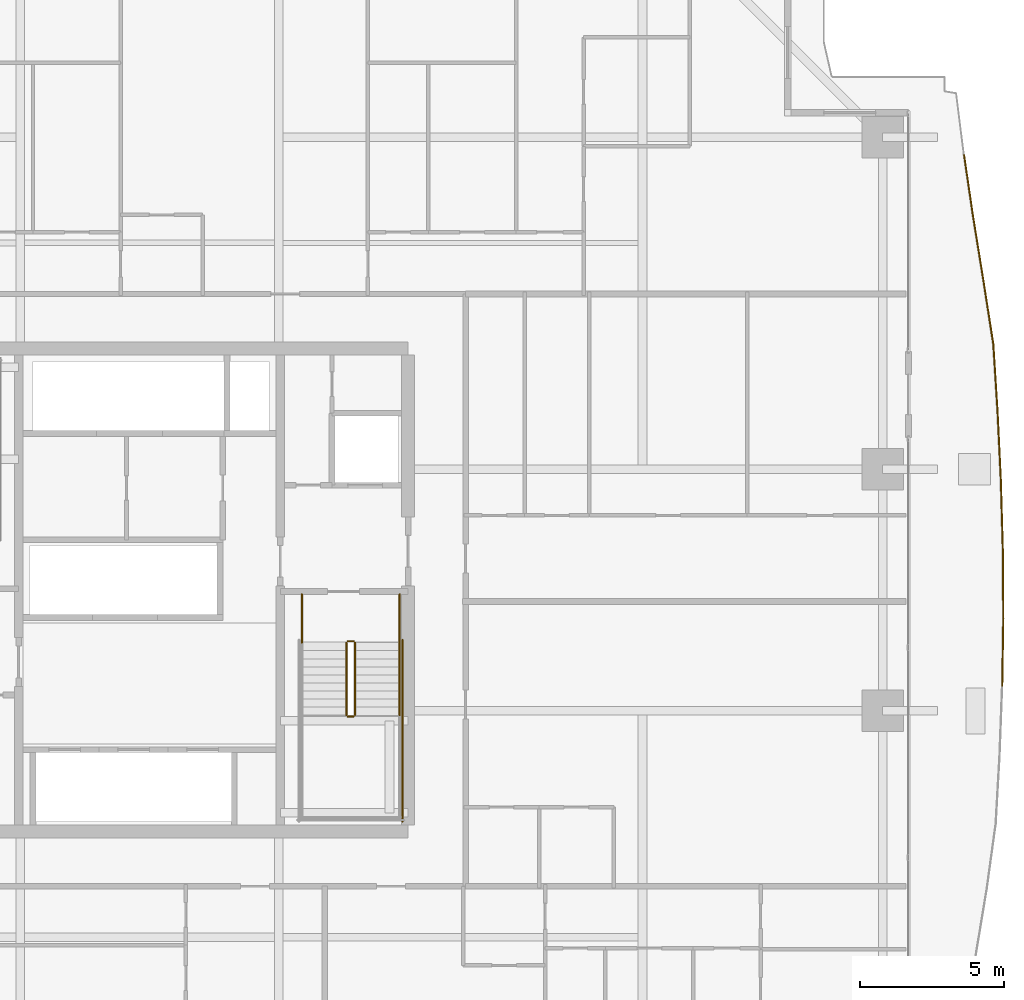
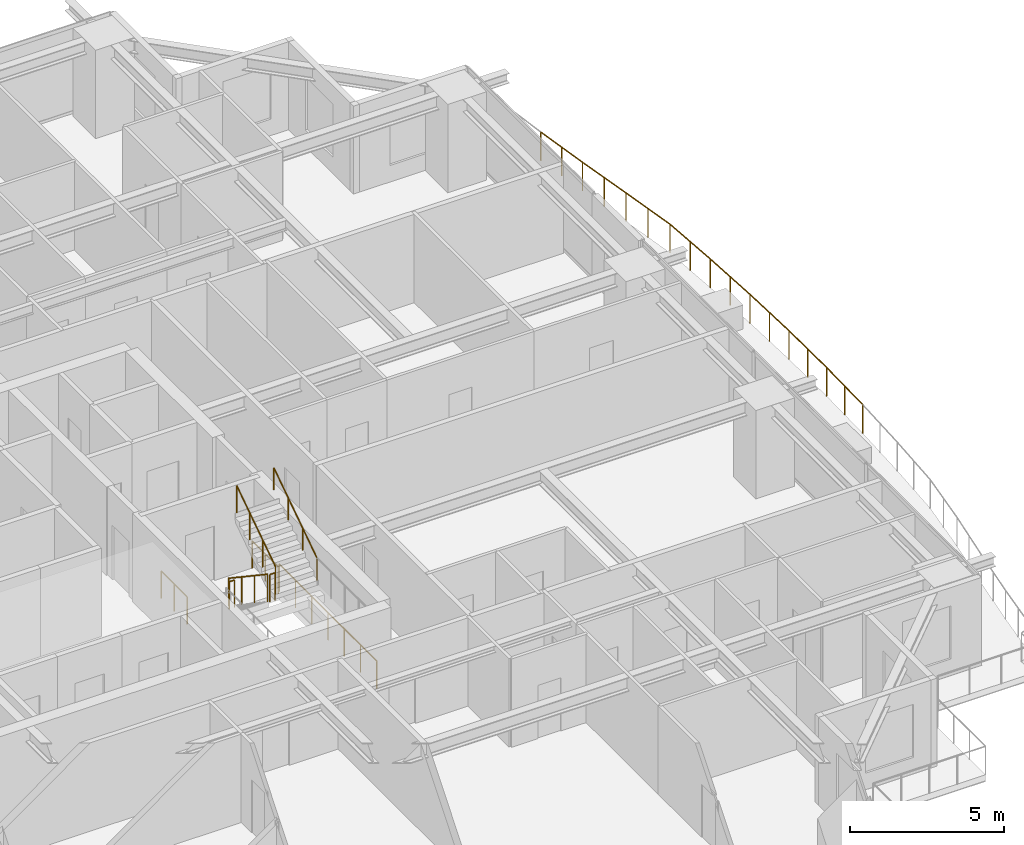
# One storey, part 37 of 38: 9 railings.
"""IFC4 building model written with IfcOpenShell, lengths in metres."""

from ifc_helpers import new_model, si_unit, direction, frame, origin, origin_2d, place, context, subcontext, project, spatial, circle, extrude, material, type_object, element, save


model = new_model("IFC4")

# Units and contexts
model_context = context("Model", 3, precision=1e-05, world=origin(), true_north=direction((0.0, 1.0)))
body_context = subcontext(model_context, "Body", "Model", "MODEL_VIEW")
ifc_project = project(units=[si_unit("LENGTHUNIT", "METRE"), si_unit("AREAUNIT", "SQUARE_METRE"), si_unit("VOLUMEUNIT", "CUBIC_METRE"), si_unit("PLANEANGLEUNIT", "RADIAN"), si_unit("MASSUNIT", "GRAM", prefix="KILO")], contexts=[model_context])

# Site, building, storey
site_placement = place(None, origin())
site = spatial("IfcSite", under=ifc_project, at=site_placement, CompositionType="ELEMENT")
building_placement = place(site_placement, origin())
building = spatial("IfcBuilding", under=site, at=building_placement, Name="Serunith Strait Residences", CompositionType="ELEMENT")
storey_placement = place(building_placement, frame((0.0, 0.0, 52.949951171875)))
storey = spatial("IfcBuildingStorey", under=building, at=storey_placement, Name="L12", CompositionType="ELEMENT", Elevation=52.949951171875)

# Railings
ifc_material_1 = material(Name="Stainless Steel & Laminated Glass Balustrade", Category="steel")
railing_type_1 = type_object("IfcRailingType", Name="RLG-BALC-1150", PredefinedType="BALUSTRADE", material=ifc_material_1)
railing_1_placement = place(storey_placement, frame((60.729248046875, 40.357177734375, -0.050048828125)))
element("IfcRailing", 1, at=railing_1_placement, inside=storey, type_object=railing_type_1, Name="L12 Swirling Balcony Perimeter Balustrade 5", PredefinedType="BALUSTRADE", context=body_context, shape_type="SweptSolid", body=[
    extrude(circle(Radius=0.02392578125, at=origin_2d()), frame((0.000244140625, -0.001953125, 1.1259765625), z_axis=(0.145297103439, -0.98938806933, 0.0), x_axis=(0.98938806933, 0.145297103439, 0.0)), (0.0, 0.0, 1.0), 2.173583984375),
    extrude(circle(Radius=0.02392578125, at=origin_2d()), frame((0.316650390625, -2.156494140625, 1.1259765625), z_axis=(0.159332696063, -0.987224944967, 0.0), x_axis=(0.987224944967, 0.159332696063, 0.0)), (0.0, 0.0, 1.0), 2.21630859375),
    extrude(circle(Radius=0.02392578125, at=origin_2d()), frame((0.67041015625, -4.348388671875, 1.1259765625), z_axis=(0.154151238522, -0.988047263881, 0.0), x_axis=(0.988047263881, 0.154151238522, 0.0)), (0.0, 0.0, 1.0), 2.2734375),
    extrude(circle(Radius=0.02392578125, at=origin_2d()), frame((1.021484375, -6.5986328125, 1.1259765625), z_axis=(0.063152987262, -0.998003857808, 0.0), x_axis=(0.998003857808, 0.063152987262, 0.0)), (0.0, 0.0, 1.0), 2.350341796875),
    extrude(circle(Radius=0.02392578125, at=origin_2d()), frame((1.169921875, -8.9482421875, 1.1259765625), z_axis=(0.047574892282, -0.998867673731, 0.0), x_axis=(0.998867673731, 0.047574892282, 0.0)), (0.0, 0.0, 1.0), 2.377197265625),
    extrude(circle(Radius=0.02392578125, at=origin_2d()), frame((1.283203125, -11.32666015625, 1.1259765625), z_axis=(0.028687557145, -0.999588427336, 0.0), x_axis=(0.999588427336, 0.028687557145, 0.0)), (0.0, 0.0, 1.0), 2.39599609375),
    extrude(circle(Radius=0.02392578125, at=origin_2d()), frame((1.35205078125, -13.7255859375, 1.1259765625), z_axis=(0.00699425365, -0.999975539909, 0.0), x_axis=(0.999975539909, 0.00699425365, 0.0)), (0.0, 0.0, 1.0), 2.404541015625),
    extrude(circle(Radius=0.02392578125, at=origin_2d()), frame((1.368896484375, -16.134033203125, 1.1259765625), z_axis=(-0.015529545186, -0.999879409342, 0.0), x_axis=(0.999879409342, -0.015529545186, 0.0)), (0.0, 0.0, 1.0), 2.4013671875),
    extrude(circle(Radius=0.02099609375, at=origin_2d()), origin(), (0.0, 0.0, 1.0), 1.099853515625),
    extrude(circle(Radius=0.02099609375, at=origin_2d()), frame((0.158203125, -1.0771484375, 0.0)), (0.0, 0.0, 1.0), 1.099853515625),
    extrude(circle(Radius=0.02099609375, at=origin_2d()), frame((0.31640625, -2.154541015625, 0.0)), (0.0, 0.0, 1.0), 1.099853515625),
    extrude(circle(Radius=0.02099609375, at=origin_2d()), frame((0.4931640625, -3.25048828125, 0.0)), (0.0, 0.0, 1.0), 1.099853515625),
    extrude(circle(Radius=0.02099609375, at=origin_2d()), frame((0.670166015625, -4.346435546875, 0.0)), (0.0, 0.0, 1.0), 1.099853515625),
    extrude(circle(Radius=0.02099609375, at=origin_2d()), frame((0.845703125, -5.4716796875, 0.0)), (0.0, 0.0, 1.0), 1.099853515625),
    extrude(circle(Radius=0.02099609375, at=origin_2d()), frame((1.021240234375, -6.5966796875, 0.0)), (0.0, 0.0, 1.0), 1.099853515625),
    extrude(circle(Radius=0.02099609375, at=origin_2d()), frame((1.095703125, -7.771484375, 0.0)), (0.0, 0.0, 1.0), 1.099853515625),
    extrude(circle(Radius=0.02099609375, at=origin_2d()), frame((1.169921875, -8.9462890625, 0.0)), (0.0, 0.0, 1.0), 1.099853515625),
    extrude(circle(Radius=0.02099609375, at=origin_2d()), frame((1.2265625, -10.135498046875, 0.0)), (0.0, 0.0, 1.0), 1.099853515625),
    extrude(circle(Radius=0.02099609375, at=origin_2d()), frame((1.283203125, -11.32470703125, 0.0)), (0.0, 0.0, 1.0), 1.099853515625),
    extrude(circle(Radius=0.02099609375, at=origin_2d()), frame((1.317626953125, -12.524169921875, 0.0)), (0.0, 0.0, 1.0), 1.099853515625),
    extrude(circle(Radius=0.02099609375, at=origin_2d()), frame((1.35205078125, -13.7236328125, 0.0)), (0.0, 0.0, 1.0), 1.099853515625),
    extrude(circle(Radius=0.02099609375, at=origin_2d()), frame((1.3603515625, -14.927734375, 0.0)), (0.0, 0.0, 1.0), 1.099853515625),
    extrude(circle(Radius=0.02099609375, at=origin_2d()), frame((1.368896484375, -16.132080078125, 0.0)), (0.0, 0.0, 1.0), 1.099853515625),
    extrude(circle(Radius=0.02099609375, at=origin_2d()), frame((1.35009765625, -17.33447265625, 0.0)), (0.0, 0.0, 1.0), 1.099853515625),
    extrude(circle(Radius=0.02099609375, at=origin_2d()), frame((1.33154296875, -18.537109375, 0.0)), (0.0, 0.0, 1.0), 1.099853515625),
])
ifc_material_2 = material(Name="Brushed stainless steel 316L", Category="steel")
railing_type_2 = type_object("IfcRailingType", Name="RLG-STAIR-GUARD", PredefinedType="BALUSTRADE", material=ifc_material_2)
railing_2_placement = place(storey_placement, frame((39.25, 23.3701171875, 0.1875)))
element("IfcRailing", 2, at=railing_2_placement, inside=storey, type_object=railing_type_2, Name="L12 ST-2 stair guard 1", PredefinedType="BALUSTRADE", context=body_context, shape_type="SweptSolid", body=[
    extrude(circle(Radius=0.02392578125, at=origin_2d()), frame((0.0, -0.001708984375, 1.0771484375), z_axis=(0.0, -0.830909170722, 0.55640807867), x_axis=(1.0, 0.0, 0.0)), (0.0, 0.0, 1.0), 3.02880859375),
    extrude(circle(Radius=0.02099609375, at=origin_2d()), origin(), (0.0, 0.0, 1.0), 1.050048828125),
    extrude(circle(Radius=0.02099609375, at=origin_2d()), frame((0.0, -0.840087890625, 0.5625)), (0.0, 0.0, 1.0), 1.050048828125),
    extrude(circle(Radius=0.02099609375, at=origin_2d()), frame((0.0, -1.679931640625, 1.125)), (0.0, 0.0, 1.0), 1.050048828125),
    extrude(circle(Radius=0.02099609375, at=origin_2d()), frame((0.0, -2.52001953125, 1.6875)), (0.0, 0.0, 1.0), 1.050048828125),
])
railing_3_placement = place(storey_placement, frame((39.300048828125, 20.800048828125, 1.875)))
element("IfcRailing", 3, at=railing_3_placement, inside=storey, type_object=railing_type_2, Name="L12 ST-2 stair guard 2", PredefinedType="BALUSTRADE", context=body_context, shape_type="SweptSolid", body=[
    extrude(circle(Radius=0.02392578125, at=origin_2d()), frame((0.001953125, 0.0, 1.076171875), z_axis=(1.0, 0.0, 0.0), x_axis=(0.0, 1.0, 0.0)), (0.0, 0.0, 1.0), 0.196044921875),
    extrude(circle(Radius=0.02099609375, at=origin_2d()), origin(), (0.0, 0.0, 1.0), 1.050048828125),
    extrude(circle(Radius=0.02099609375, at=origin_2d()), frame((0.199951171875, 0.0, 0.0)), (0.0, 0.0, 1.0), 1.050048828125),
])
railing_4_placement = place(storey_placement, frame((39.550048828125, 20.85009765625, 2.0625)))
element("IfcRailing", 4, at=railing_4_placement, inside=storey, type_object=railing_type_2, Name="L12 ST-2 stair guard 6", PredefinedType="BALUSTRADE", context=body_context, shape_type="SweptSolid", body=[
    extrude(circle(Radius=0.02392578125, at=origin_2d()), frame((0.0, 0.001708984375, 1.0771484375), z_axis=(0.0, 0.830909170722, 0.55640807867), x_axis=(-1.0, 0.0, 0.0)), (0.0, 0.0, 1.0), 3.02880859375),
    extrude(circle(Radius=0.02099609375, at=origin_2d()), origin(), (0.0, 0.0, 1.0), 1.050048828125),
    extrude(circle(Radius=0.02099609375, at=origin_2d()), frame((0.0, 0.840087890625, 0.5625)), (0.0, 0.0, 1.0), 1.050048828125),
    extrude(circle(Radius=0.02099609375, at=origin_2d()), frame((0.0, 1.679931640625, 1.125)), (0.0, 0.0, 1.0), 1.050048828125),
    extrude(circle(Radius=0.02099609375, at=origin_2d()), frame((0.0, 2.52001953125, 1.6875)), (0.0, 0.0, 1.0), 1.050048828125),
])
railing_5_placement = place(storey_placement, frame((39.300048828125, 23.419921875, 0.0)))
element("IfcRailing", 5, at=railing_5_placement, inside=storey, type_object=railing_type_2, Name="L12 ST-2 stair guard 7", PredefinedType="BALUSTRADE", context=body_context, shape_type="SweptSolid", body=[
    extrude(circle(Radius=0.02392578125, at=origin_2d()), frame((0.001953125, 0.0, 1.076171875), z_axis=(1.0, 0.0, 0.0), x_axis=(0.0, 1.0, 0.0)), (0.0, 0.0, 1.0), 0.196044921875),
    extrude(circle(Radius=0.02099609375, at=origin_2d()), origin(), (0.0, 0.0, 1.0), 1.050048828125),
    extrude(circle(Radius=0.02099609375, at=origin_2d()), frame((0.199951171875, 0.0, 0.0)), (0.0, 0.0, 1.0), 1.050048828125),
])
for number, where, name in (
    (6, (37.699951171875, 25.050048828125, 0.0), "L12 ST-2 stair guard 8"),
    (7, (41.10009765625, 25.050048828125, 0.0), "L12 ST-2 stair guard 9"),
):
    element("IfcRailing", number, at=place(storey_placement, frame(where)), inside=storey, type_object=railing_type_2, Name=name, PredefinedType="BALUSTRADE", context=body_context, shape_type="SweptSolid", body=[
        extrude(circle(Radius=0.02392578125, at=origin_2d()), frame((0.0, -0.001953125, 1.076171875), z_axis=(0.0, -1.0, 0.0), x_axis=(1.0, 0.0, 0.0)), (0.0, 0.0, 1.0), 1.676025390625),
        extrude(circle(Radius=0.02099609375, at=origin_2d()), origin(), (0.0, 0.0, 1.0), 1.050048828125),
        extrude(circle(Radius=0.02099609375, at=origin_2d()), frame((0.0, -0.83984375, 0.0)), (0.0, 0.0, 1.0), 1.050048828125),
        extrude(circle(Radius=0.02099609375, at=origin_2d()), frame((0.0, -1.679931640625, 0.0)), (0.0, 0.0, 1.0), 1.050048828125),
    ])
railing_6_placement = place(storey_placement, frame((41.199951171875, 23.469970703125, 0.0)))
element("IfcRailing", 8, at=railing_6_placement, inside=storey, type_object=railing_type_2, Name="L12 ST-2 stair guard 11", PredefinedType="BALUSTRADE", context=body_context, shape_type="SweptSolid", body=[
    extrude(circle(Radius=0.02392578125, at=origin_2d()), frame((0.0, -0.001953125, 1.076171875), z_axis=(0.0, -1.0, 0.0), x_axis=(1.0, 0.0, 0.0)), (0.0, 0.0, 1.0), 6.316162109375),
    extrude(circle(Radius=0.02099609375, at=origin_2d()), origin(), (0.0, 0.0, 1.0), 1.050048828125),
    extrude(circle(Radius=0.02099609375, at=origin_2d()), frame((0.0, -1.05322265625, 0.0)), (0.0, 0.0, 1.0), 1.050048828125),
    extrude(circle(Radius=0.02099609375, at=origin_2d()), frame((0.0, -2.106689453125, 0.0)), (0.0, 0.0, 1.0), 1.050048828125),
    extrude(circle(Radius=0.02099609375, at=origin_2d()), frame((0.0, -3.16015625, 0.0)), (0.0, 0.0, 1.0), 1.050048828125),
    extrude(circle(Radius=0.02099609375, at=origin_2d()), frame((0.0, -4.21337890625, 0.0)), (0.0, 0.0, 1.0), 1.050048828125),
    extrude(circle(Radius=0.02099609375, at=origin_2d()), frame((0.0, -5.2666015625, 0.0)), (0.0, 0.0, 1.0), 1.050048828125),
    extrude(circle(Radius=0.02099609375, at=origin_2d()), frame((0.0, -6.320068359375, 0.0)), (0.0, 0.0, 1.0), 1.050048828125),
])
railing_type_3 = type_object("IfcRailingType", Name="RLG-STAIR-HR", PredefinedType="HANDRAIL", material=ifc_material_2)
railing_7_placement = place(storey_placement, frame((41.10009765625, 20.85009765625, 2.0625)))
element("IfcRailing", 9, at=railing_7_placement, inside=storey, type_object=railing_type_3, Name="L12 ST-2 stair handrail 2", PredefinedType="HANDRAIL", context=body_context, shape_type="SweptSolid", body=[
    extrude(circle(Radius=0.02392578125, at=origin_2d()), frame((0.0, 0.001708984375, 0.876953125), z_axis=(0.0, 0.830185712471, 0.557486935101), x_axis=(-1.0, 0.0, 0.0)), (0.0, 0.0, 1.0), 3.368408203125),
    extrude(circle(Radius=0.02099609375, at=origin_2d()), origin(), (0.0, 0.0, 1.0), 0.849853515625),
    extrude(circle(Radius=0.02099609375, at=origin_2d()), frame((0.0, 0.933349609375, 0.626708984375)), (0.0, 0.0, 1.0), 0.849853515625),
    extrude(circle(Radius=0.02099609375, at=origin_2d()), frame((0.0, 1.866455078125, 1.25341796875)), (0.0, 0.0, 1.0), 0.849853515625),
    extrude(circle(Radius=0.02099609375, at=origin_2d()), frame((0.0, 2.7998046875, 1.880126953125)), (0.0, 0.0, 1.0), 0.849853515625),
])

save(model, "model.ifc")
